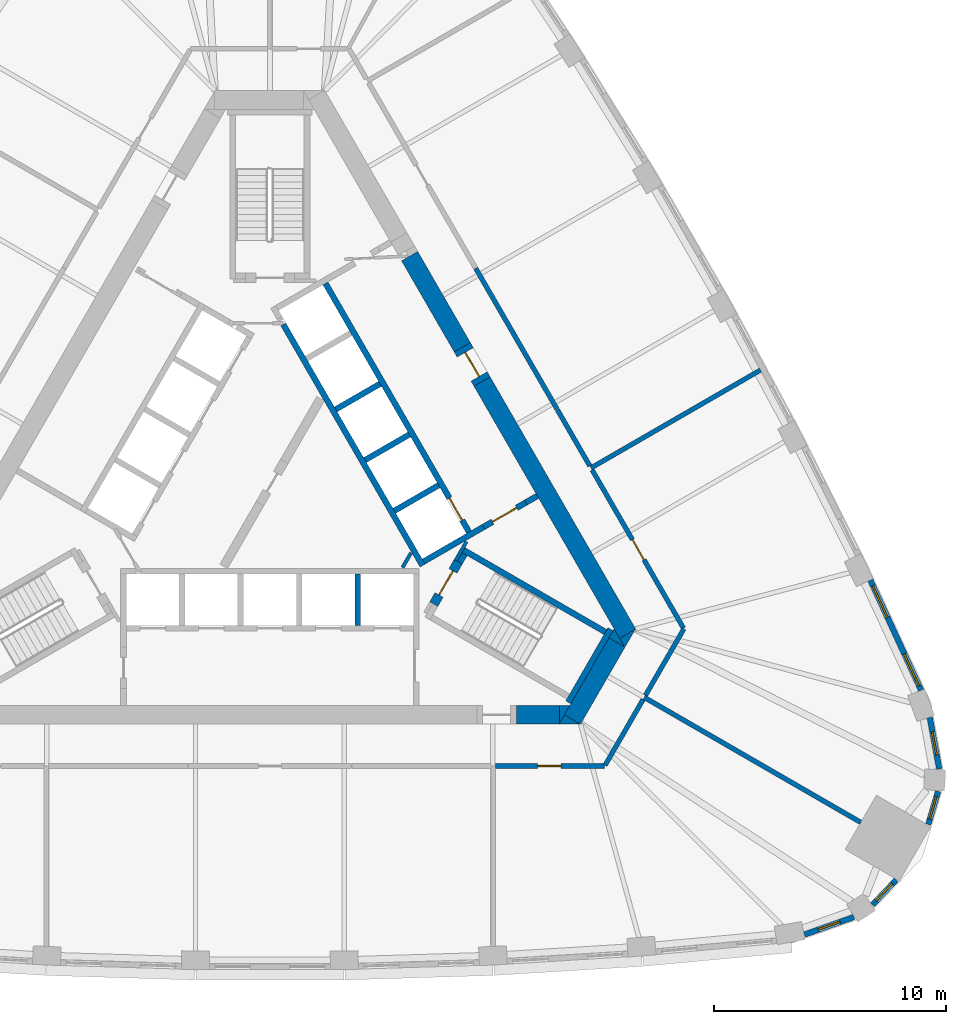
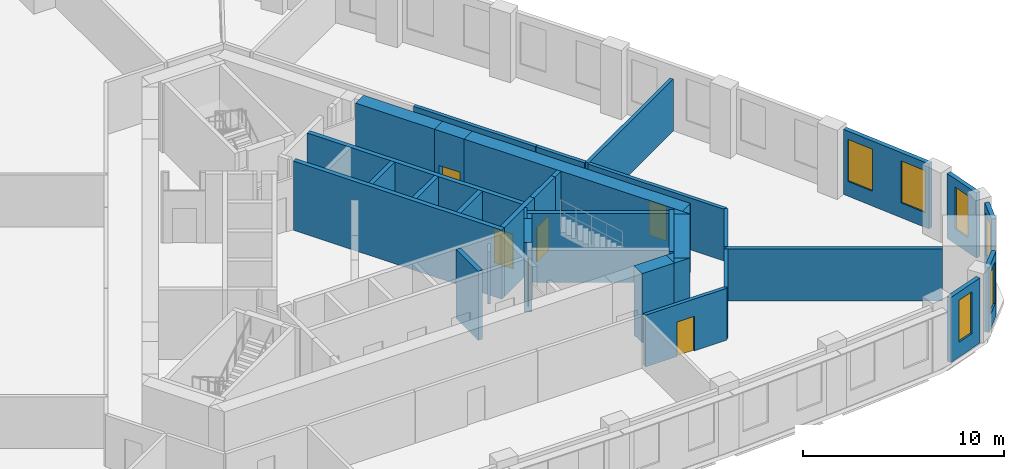
# One storey, part 6 of 9: 37 walls, 6 doors, 6 windows, 12 openings.
"""IFC4 building model written with IfcOpenShell, lengths in metres."""

from ifc_helpers import new_model, si_unit, direction, frame, frame_2d, origin, place, context, subcontext, project, spatial, polyline, rectangle, outline, extrude, material, layer, layer_set, type_object, element, fill, save


model = new_model("IFC4")

# Units and contexts
model_context = context("Model", 3, precision=1e-05, world=origin(), true_north=direction((0.0, 1.0)))
body_context = subcontext(model_context, "Body", "Model", "MODEL_VIEW")
ifc_project = project(units=[si_unit("LENGTHUNIT", "METRE"), si_unit("AREAUNIT", "SQUARE_METRE"), si_unit("VOLUMEUNIT", "CUBIC_METRE"), si_unit("PLANEANGLEUNIT", "RADIAN"), si_unit("MASSUNIT", "GRAM", prefix="KILO")], contexts=[model_context])

# Site, building, storey
site_placement = place(None, origin())
site = spatial("IfcSite", under=ifc_project, at=site_placement, CompositionType="ELEMENT")
building_placement = place(site_placement, origin())
building = spatial("IfcBuilding", under=site, at=building_placement, Name="Mestral Congress Tower", CompositionType="ELEMENT")
storey_placement = place(building_placement, frame((0.0, 0.0, 183.60009765625)))
storey = spatial("IfcBuildingStorey", under=building, at=storey_placement, Name="L43", CompositionType="ELEMENT", Elevation=183.60009765625)

# Walls
ifc_material_1 = material(Name="Fire-rated board partition")
ifc_layer_1 = layer(ifc_material_1, 0.14990234375)
ifc_layer_set_1 = layer_set([ifc_layer_1], Name="Fire-rated board partition")
wall_type_1 = type_object("IfcWallType", Name="Core partition 150", PredefinedType="PARTITIONING", material=ifc_layer_set_1)
wall_1_placement = place(storey_placement, frame((5.704833984375, -3.718017578125, 0.0), z_axis=(0.0, 0.0, 1.0), x_axis=(0.499962090823, 0.866047289552, 0.0)))
element("IfcWall", 1, at=wall_1_placement, inside=storey, type_object=wall_type_1, Name="L43 core wall", PredefinedType="PARTITIONING", context=body_context, shape_type="SweptSolid", body=[
    extrude(rectangle(XDim=0.73486328125, YDim=0.14990234375, at=frame_2d((0.367431640625, 0.0))), origin(), (0.0, 0.0, 1.0), 3.14990234375),
])
ifc_material_2 = material(Name="Concrete C60/75", Category="concrete")
ifc_layer_2 = layer(ifc_material_2, 0.800048828125)
ifc_layer_set_2 = layer_set([ifc_layer_2], Name="Concrete C60/75")
wall_type_2 = type_object("IfcWallType", Name="Core wall RC 800", PredefinedType="SOLIDWALL", material=ifc_layer_set_2)
wall_2_placement = place(storey_placement, frame((9.128662109375, 4.288818359375, 0.0), z_axis=(0.0, 0.0, 1.0), x_axis=(0.499995742806, -0.866027861663, 0.0)))
element("IfcWall", 2, at=wall_2_placement, inside=storey, type_object=wall_type_2, Name="L43 core wall", PredefinedType="SOLIDWALL", context=body_context, shape_type="SweptSolid", body=[
    extrude(rectangle(XDim=12.52734375, YDim=0.800048828125, at=frame_2d((6.263671875, 0.0))), origin(), (0.0, 0.0, 1.0), 4.199951171875),
])
placement = place(storey_placement, origin())
element("IfcWall", 3, at=placement, inside=storey, type_object=wall_type_2, Name="L43 core wall", PredefinedType="SOLIDWALL", context=body_context, shape_type="SweptSolid", body=[
    extrude(outline(polyline([(15.27099609375, -7.14990234375), (15.046875, -6.761962890625), (15.718994140625, -6.3740234375), (15.27099609375, -7.14990234375)])), origin(), (0.0, 0.0, 1.0), 4.199951171875),
])
wall_4_placement = place(storey_placement, frame((13.018310546875, -10.251708984375, 0.0), z_axis=(0.0, 0.0, 1.0), x_axis=(0.499984020225, 0.866034629516, 0.0)))
element("IfcWall", 4, at=wall_4_placement, inside=storey, type_object=wall_type_2, Name="L43 core wall", PredefinedType="SOLIDWALL", context=body_context, shape_type="SweptSolid", body=[
    extrude(rectangle(XDim=3.824462890625, YDim=0.800048828125, at=frame_2d((1.912109375, 0.0))), origin(), (0.0, 0.0, 1.0), 4.199951171875),
])
element("IfcWall", 5, at=placement, inside=storey, type_object=wall_type_2, Name="L43 core wall", PredefinedType="SOLIDWALL", context=body_context, shape_type="SweptSolid", body=[
    extrude(outline(polyline([(12.6708984375, -10.053466796875), (13.35791015625, -10.449951171875), (12.44189453125, -10.449951171875), (12.6708984375, -10.053466796875)])), origin(), (0.0, 0.0, 1.0), 4.199951171875),
])
element("IfcWall", 6, at=placement, inside=storey, type_object=wall_type_2, Name="L43 core wall", PredefinedType="SOLIDWALL", context=body_context, shape_type="SweptSolid", body=[
    extrude(outline(polyline([(14.80908203125, -6.35009765625), (15.257080078125, -7.1259765625), (14.5849609375, -6.738037109375), (14.80908203125, -6.35009765625)])), origin(), (0.0, 0.0, 1.0), 4.199951171875),
])
wall_7_placement = place(storey_placement, frame((10.6044921875, -10.050048828125, 0.0), z_axis=(0.0, 0.0, 1.0), x_axis=(1.0, 0.0, 0.0)))
element("IfcWall", 7, at=wall_7_placement, inside=storey, type_object=wall_type_2, Name="L43 core wall", PredefinedType="SOLIDWALL", context=body_context, shape_type="SweptSolid", body=[
    extrude(rectangle(XDim=1.849365234375, YDim=0.800048828125, at=frame_2d((0.9248046875, 0.0))), origin(), (0.0, 0.0, 1.0), 4.199951171875),
])
element("IfcWall", 8, at=placement, inside=storey, type_object=wall_type_2, Name="L43 core wall", PredefinedType="SOLIDWALL", context=body_context, shape_type="SweptSolid", body=[
    extrude(outline(polyline([(12.90380859375, -9.64990234375), (12.455810546875, -10.42578125), (12.455810546875, -9.64990234375), (12.90380859375, -9.64990234375)])), origin(), (0.0, 0.0, 1.0), 4.199951171875),
])
wall_9_placement = place(storey_placement, frame((8.278564453125, 5.76123046875, 0.0), z_axis=(0.0, 0.0, 1.0), x_axis=(-0.500024261398, 0.866011396007, 0.0)))
element("IfcWall", 9, at=wall_9_placement, inside=storey, type_object=wall_type_2, Name="L43 core wall", PredefinedType="SOLIDWALL", context=body_context, shape_type="SweptSolid", body=[
    extrude(rectangle(XDim=4.528076171875, YDim=0.800048828125, at=frame_2d((2.26416015625, 0.0))), origin(), (0.0, 0.0, 1.0), 4.199951171875),
])

# Wall, opening, door
wall_10_placement = place(storey_placement, frame((8.278564453125, 5.760986328125, 0.0), z_axis=(0.0, 0.0, 1.0), x_axis=(0.500062241894, -0.865989465428, 0.0)))
wall_10 = element("IfcWall", 10, at=wall_10_placement, inside=storey, type_object=wall_type_2, Name="L43 door wall", PredefinedType="SOLIDWALL", context=body_context, shape_type="SweptSolid", body=[
    extrude(rectangle(XDim=1.699951171875, YDim=0.800048828125, at=frame_2d((0.85009765625, 0.0))), origin(), (0.0, 0.0, 1.0), 4.199951171875),
])
opening_1_placement = place(wall_10_placement, frame((0.25, 0.0, 0.0)))
opening_1 = element("IfcOpeningElement", 11, at=opening_1_placement, cuts=wall_10, Name="Opening XDL", PredefinedType="OPENING", context=body_context, shape_type="SweptSolid", body=[
    extrude(rectangle(XDim=1.199951171875, YDim=2.10009765625, at=frame_2d((0.60009765625, 1.050048828125))), frame((0.0, 0.409912109375, 0.0), z_axis=(0.0, -1.0, 0.0), x_axis=(1.0, 0.0, 0.0)), (0.0, 0.0, 1.0), 0.820068359375),
])
ifc_material_3 = material(Name="Fire-rated steel door set", Category="steel")
door_type_1 = type_object("IfcDoorType", Name="Core door XD 1200x2100", OperationType="SINGLE_SWING_LEFT", PredefinedType="DOOR", material=ifc_material_3)
door_1_placement = place(opening_1_placement, origin())
door_1 = element("IfcDoor", 12, at=door_1_placement, inside=storey, type_object=door_type_1, Name="Door XDL", OperationType="SINGLE_SWING_LEFT", OverallHeight=2.10009765625, OverallWidth=1.199951171875, PredefinedType="DOOR", context=body_context, shape_type="SweptSolid", body=[
    extrude(rectangle(XDim=1.199951171875, YDim=2.10009765625, at=frame_2d((0.60009765625, 1.050048828125))), frame((0.0, 0.02490234375, 0.0), z_axis=(0.0, -1.0, 0.0), x_axis=(1.0, 0.0, 0.0)), (0.0, 0.0, 1.0), 0.050048828125),
])
fill(opening_1, door_1)

# Wall, opening, window
ifc_material_4 = material(Name="Precast concrete C40/50 with limestone facing", Category="masonry")
ifc_layer_3 = layer(ifc_material_4, 0.239990234375)
ifc_layer_set_3 = layer_set([ifc_layer_3], Name="Precast concrete C40/50 with limestone facing")
wall_type_3 = type_object("IfcWallType", Name="Facade stone wall 240", PredefinedType="SOLIDWALL", material=ifc_layer_set_3)
wall_11_placement = place(storey_placement, frame((23.0009765625, -19.50537109375, 0.0), z_axis=(0.0, 0.0, 1.0), x_axis=(0.942099727267, 0.335332825539, 0.0)))
wall_11 = element("IfcWall", 13, at=wall_11_placement, inside=storey, type_object=wall_type_3, Name="Facade wall K0-0", PredefinedType="SOLIDWALL", context=body_context, shape_type="SweptSolid", body=[
    extrude(rectangle(XDim=2.25048828125, YDim=0.239990234375, at=frame_2d((1.125244140625, 0.0))), origin(), (0.0, 0.0, 1.0), 3.949951171875),
])
opening_2_placement = place(wall_11_placement, frame((0.625244140625, 0.0, 0.89990234375)))
opening_2 = element("IfcOpeningElement", 14, at=opening_2_placement, cuts=wall_11, Name="Opening W5", PredefinedType="OPENING", context=body_context, shape_type="SweptSolid", body=[
    extrude(rectangle(XDim=1.0, YDim=2.550048828125, at=frame_2d((0.5, 1.27490234375))), frame((0.0, 0.1298828125, 0.0), z_axis=(0.0, -1.0, 0.0), x_axis=(1.0, 0.0, 0.0)), (0.0, 0.0, 1.0), 0.260009765625),
])
ifc_material_5 = material(Name="Clear low-emissivity double glazing", Category="glass")
window_type_1 = type_object("IfcWindowType", Name="Facade punched window 1000 x 2550 sill 900", PartitioningType="SINGLE_PANEL", PredefinedType="WINDOW", material=ifc_material_5)
window_1_placement = place(opening_2_placement, origin())
window_1 = element("IfcWindow", 15, at=window_1_placement, inside=storey, type_object=window_type_1, Name="Window K0-0", OverallHeight=2.550048828125, OverallWidth=1.0, PartitioningType="SINGLE_PANEL", PredefinedType="WINDOW", context=body_context, shape_type="SweptSolid", body=[
    extrude(rectangle(XDim=1.0, YDim=2.550048828125, at=frame_2d((0.5, 1.27490234375))), frame((0.0, 0.0400390625, 0.0), z_axis=(0.0, -1.0, 0.0), x_axis=(1.0, 0.0, 0.0)), (0.0, 0.0, 1.0), 0.06005859375),
])
fill(opening_2, window_1)

wall_12_placement = place(storey_placement, frame((25.9267578125, -18.226318359375, 0.0), z_axis=(0.0, 0.0, 1.0), x_axis=(0.687986858937, 0.725723144133, 0.0)))
wall_12 = element("IfcWall", 16, at=wall_12_placement, inside=storey, type_object=wall_type_3, Name="Facade wall K0-1", PredefinedType="SOLIDWALL", context=body_context, shape_type="SweptSolid", body=[
    extrude(rectangle(XDim=1.4814453125, YDim=0.239990234375, at=frame_2d((0.74072265625, 0.0))), origin(), (0.0, 0.0, 1.0), 3.949951171875),
])
opening_3_placement = place(wall_12_placement, frame((0.24072265625, 0.0, 0.89990234375)))
opening_3 = element("IfcOpeningElement", 17, at=opening_3_placement, cuts=wall_12, Name="Opening W5", PredefinedType="OPENING", context=body_context, shape_type="SweptSolid", body=[
    extrude(rectangle(XDim=1.0, YDim=2.550048828125, at=frame_2d((0.5, 1.27490234375))), frame((0.0, 0.1298828125, 0.0), z_axis=(0.0, -1.0, 0.0), x_axis=(1.0, 0.0, 0.0)), (0.0, 0.0, 1.0), 0.260009765625),
])
window_2_placement = place(opening_3_placement, origin())
window_2 = element("IfcWindow", 18, at=window_2_placement, inside=storey, type_object=window_type_1, Name="Window K0-1", OverallHeight=2.550048828125, OverallWidth=1.0, PartitioningType="SINGLE_PANEL", PredefinedType="WINDOW", context=body_context, shape_type="SweptSolid", body=[
    extrude(rectangle(XDim=1.0, YDim=2.550048828125, at=frame_2d((0.5, 1.27490234375))), frame((0.0, 0.0400390625, 0.0), z_axis=(0.0, -1.0, 0.0), x_axis=(1.0, 0.0, 0.0)), (0.0, 0.0, 1.0), 0.06005859375),
])
fill(opening_3, window_2)

wall_13_placement = place(storey_placement, frame((28.326416015625, -14.760498046875, 0.0), z_axis=(0.0, 0.0, 1.0), x_axis=(0.284413721403, 0.958701640281, 0.0)))
wall_13 = element("IfcWall", 19, at=wall_13_placement, inside=storey, type_object=wall_type_3, Name="Facade wall K0-2", PredefinedType="SOLIDWALL", context=body_context, shape_type="SweptSolid", body=[
    extrude(rectangle(XDim=1.481689453125, YDim=0.239990234375, at=frame_2d((0.74072265625, 0.0))), origin(), (0.0, 0.0, 1.0), 3.949951171875),
])
opening_4_placement = place(wall_13_placement, frame((0.24072265625, 0.0, 0.89990234375)))
opening_4 = element("IfcOpeningElement", 20, at=opening_4_placement, cuts=wall_13, Name="Opening W5", PredefinedType="OPENING", context=body_context, shape_type="SweptSolid", body=[
    extrude(rectangle(XDim=1.0, YDim=2.550048828125, at=frame_2d((0.5, 1.27490234375))), frame((0.0, 0.1298828125, 0.0), z_axis=(0.0, -1.0, 0.0), x_axis=(1.0, 0.0, 0.0)), (0.0, 0.0, 1.0), 0.260009765625),
])
window_3_placement = place(opening_4_placement, origin())
window_3 = element("IfcWindow", 21, at=window_3_placement, inside=storey, type_object=window_type_1, Name="Window K0-2", OverallHeight=2.550048828125, OverallWidth=1.0, PartitioningType="SINGLE_PANEL", PredefinedType="WINDOW", context=body_context, shape_type="SweptSolid", body=[
    extrude(rectangle(XDim=1.0, YDim=2.550048828125, at=frame_2d((0.5, 1.27490234375))), frame((0.0, 0.0400390625, 0.0), z_axis=(0.0, -1.0, 0.0), x_axis=(1.0, 0.0, 0.0)), (0.0, 0.0, 1.0), 0.06005859375),
])
fill(opening_4, window_3)

wall_14_placement = place(storey_placement, frame((28.79931640625, -12.380126953125, 0.0), z_axis=(0.0, 0.0, 1.0), x_axis=(-0.180737189259, 0.983531427265, 0.0)))
wall_14 = element("IfcWall", 22, at=wall_14_placement, inside=storey, type_object=wall_type_3, Name="Facade wall K0-3", PredefinedType="SOLIDWALL", context=body_context, shape_type="SweptSolid", body=[
    extrude(rectangle(XDim=2.25048828125, YDim=0.239990234375, at=frame_2d((1.125244140625, 0.0))), origin(), (0.0, 0.0, 1.0), 3.949951171875),
])
opening_5_placement = place(wall_14_placement, frame((0.625244140625, 0.0, 0.89990234375)))
opening_5 = element("IfcOpeningElement", 23, at=opening_5_placement, cuts=wall_14, Name="Opening W5", PredefinedType="OPENING", context=body_context, shape_type="SweptSolid", body=[
    extrude(rectangle(XDim=1.0, YDim=2.550048828125, at=frame_2d((0.5, 1.27490234375))), frame((0.0, 0.1298828125, 0.0), z_axis=(0.0, -1.0, 0.0), x_axis=(1.0, 0.0, 0.0)), (0.0, 0.0, 1.0), 0.260009765625),
])
window_4_placement = place(opening_5_placement, origin())
window_4 = element("IfcWindow", 24, at=window_4_placement, inside=storey, type_object=window_type_1, Name="Window K0-3", OverallHeight=2.550048828125, OverallWidth=1.0, PartitioningType="SINGLE_PANEL", PredefinedType="WINDOW", context=body_context, shape_type="SweptSolid", body=[
    extrude(rectangle(XDim=1.0, YDim=2.550048828125, at=frame_2d((0.5, 1.27490234375))), frame((0.0, 0.0400390625, 0.0), z_axis=(0.0, -1.0, 0.0), x_axis=(1.0, 0.0, 0.0)), (0.0, 0.0, 1.0), 0.06005859375),
])
fill(opening_5, window_4)

# Wall, openings, windows
wall_15_placement = place(storey_placement, frame((28.019775390625, -8.991943359375, 0.0), z_axis=(0.0, 0.0, 1.0), x_axis=(-0.418722559465, 0.908114209885, 0.0)))
wall_15 = element("IfcWall", 25, at=wall_15_placement, inside=storey, type_object=wall_type_3, Name="Facade wall F1-00", PredefinedType="SOLIDWALL", context=body_context, shape_type="SweptSolid", body=[
    extrude(rectangle(XDim=5.213134765625, YDim=0.239990234375, at=frame_2d((2.6064453125, 0.0))), origin(), (0.0, 0.0, 1.0), 3.949951171875),
])
opening_6_placement = place(wall_15_placement, frame((0.220947265625, 0.0, 0.89990234375)))
opening_6 = element("IfcOpeningElement", 26, at=opening_6_placement, cuts=wall_15, Name="Opening W4", PredefinedType="OPENING", context=body_context, shape_type="SweptSolid", body=[
    extrude(rectangle(XDim=1.5, YDim=2.550048828125, at=frame_2d((0.75, 1.27490234375))), frame((0.0, 0.1298828125, 0.0), z_axis=(0.0, -1.0, 0.0), x_axis=(1.0, 0.0, 0.0)), (0.0, 0.0, 1.0), 0.260009765625),
])
opening_7_placement = place(wall_15_placement, frame((3.452392578125, 0.0, 0.89990234375)))
opening_7 = element("IfcOpeningElement", 27, at=opening_7_placement, cuts=wall_15, Name="Opening W4", PredefinedType="OPENING", context=body_context, shape_type="SweptSolid", body=[
    extrude(rectangle(XDim=1.5, YDim=2.550048828125, at=frame_2d((0.75, 1.27490234375))), frame((0.0, 0.1298828125, 0.0), z_axis=(0.0, -1.0, 0.0), x_axis=(1.0, 0.0, 0.0)), (0.0, 0.0, 1.0), 0.260009765625),
])
window_type_2 = type_object("IfcWindowType", Name="Facade punched window 1500 x 2550 sill 900", PartitioningType="SINGLE_PANEL", PredefinedType="WINDOW", material=ifc_material_5)
window_5_placement = place(opening_6_placement, origin())
window_5 = element("IfcWindow", 28, at=window_5_placement, inside=storey, type_object=window_type_2, Name="Window F1-00a", OverallHeight=2.550048828125, OverallWidth=1.5, PartitioningType="SINGLE_PANEL", PredefinedType="WINDOW", context=body_context, shape_type="SweptSolid", body=[
    extrude(rectangle(XDim=1.5, YDim=2.550048828125, at=frame_2d((0.75, 1.27490234375))), frame((0.0, 0.0400390625, 0.0), z_axis=(0.0, -1.0, 0.0), x_axis=(1.0, 0.0, 0.0)), (0.0, 0.0, 1.0), 0.06005859375),
])
fill(opening_6, window_5)
window_6_placement = place(opening_7_placement, origin())
window_6 = element("IfcWindow", 29, at=window_6_placement, inside=storey, type_object=window_type_2, Name="Window F1-00b", OverallHeight=2.550048828125, OverallWidth=1.5, PartitioningType="SINGLE_PANEL", PredefinedType="WINDOW", context=body_context, shape_type="SweptSolid", body=[
    extrude(rectangle(XDim=1.5, YDim=2.550048828125, at=frame_2d((0.75, 1.27490234375))), frame((0.0, 0.0400390625, 0.0), z_axis=(0.0, -1.0, 0.0), x_axis=(1.0, 0.0, 0.0)), (0.0, 0.0, 1.0), 0.06005859375),
])
fill(opening_7, window_6)

# Wall
ifc_material_6 = material(Name="Dense masonry wall, plastered", Category="masonry")
ifc_layer_4 = layer(ifc_material_6, 0.199951171875)
ifc_layer_set_4 = layer_set([ifc_layer_4], Name="Dense masonry wall, plastered")
wall_type_4 = type_object("IfcWallType", Name="Office tenancy wall 200", PredefinedType="PARTITIONING", material=ifc_layer_set_4)
wall_16_placement = place(storey_placement, frame((16.108154296875, -9.300048828125, 0.0), z_axis=(0.0, 0.0, 1.0), x_axis=(0.866027180319, -0.499996922939, 0.0)))
element("IfcWall", 30, at=wall_16_placement, inside=storey, type_object=wall_type_4, Name="Tenancy wall", PredefinedType="PARTITIONING", context=body_context, shape_type="SweptSolid", body=[
    extrude(rectangle(XDim=10.75390625, YDim=0.199951171875, at=frame_2d((5.376953125, 0.0))), origin(), (0.0, 0.0, 1.0), 3.14990234375),
])

# Wall, opening, door
wall_17_placement = place(storey_placement, frame((9.71728515625, -12.25, 0.0), z_axis=(0.0, 0.0, 1.0), x_axis=(1.0, 0.0, 0.0)))
wall_17 = element("IfcWall", 31, at=wall_17_placement, inside=storey, type_object=wall_type_4, Name="Tenancy wall", PredefinedType="PARTITIONING", context=body_context, shape_type="SweptSolid", body=[
    extrude(rectangle(XDim=4.6875, YDim=0.199951171875, at=frame_2d((2.34375, 0.0))), origin(), (0.0, 0.0, 1.0), 3.14990234375),
])
opening_8_placement = place(wall_17_placement, frame((1.800048828125, 0.0, 0.0)))
opening_8 = element("IfcOpeningElement", 32, at=opening_8_placement, cuts=wall_17, Name="Opening O04-002", PredefinedType="OPENING", context=body_context, shape_type="SweptSolid", body=[
    extrude(rectangle(XDim=1.0, YDim=2.10009765625, at=frame_2d((0.5, 1.050048828125))), frame((0.0, 0.10986328125, 0.0), z_axis=(0.0, -1.0, 0.0), x_axis=(1.0, 0.0, 0.0)), (0.0, 0.0, 1.0), 0.219970703125),
])
ifc_material_7 = material(Name="Fire-rated timber door set", Category="wood")
door_type_2 = type_object("IfcDoorType", Name="Office tenancy entrance door 1000x2100", OperationType="SINGLE_SWING_LEFT", PredefinedType="DOOR", material=ifc_material_7)
door_2_placement = place(opening_8_placement, origin())
door_2 = element("IfcDoor", 33, at=door_2_placement, inside=storey, type_object=door_type_2, Name="Door O04-002", OperationType="SINGLE_SWING_LEFT", OverallHeight=2.10009765625, OverallWidth=1.0, PredefinedType="DOOR", context=body_context, shape_type="SweptSolid", body=[
    extrude(rectangle(XDim=1.0, YDim=2.10009765625, at=frame_2d((0.5, 1.050048828125))), frame((0.0, 0.02490234375, 0.0), z_axis=(0.0, -1.0, 0.0), x_axis=(1.0, 0.0, 0.0)), (0.0, 0.0, 1.0), 0.050048828125),
])
fill(opening_8, door_2)

# Walls
wall_18_placement = place(storey_placement, frame((14.419921875, -12.22412109375, 0.0), z_axis=(0.0, 0.0, 1.0), x_axis=(0.500001965626, 0.866024268927, 0.0)))
element("IfcWall", 34, at=wall_18_placement, inside=storey, type_object=wall_type_4, Name="Tenancy wall", PredefinedType="PARTITIONING", context=body_context, shape_type="SweptSolid", body=[
    extrude(rectangle(XDim=3.2763671875, YDim=0.199951171875, at=frame_2d((1.63818359375, 0.0))), origin(), (0.0, 0.0, 1.0), 3.14990234375),
])
wall_19_placement = place(storey_placement, frame((13.814697265625, 0.572021484375, 0.0), z_axis=(0.0, 0.0, 1.0), x_axis=(0.866036391575, 0.499980968105, 0.0)))
element("IfcWall", 35, at=wall_19_placement, inside=storey, type_object=wall_type_4, Name="Tenancy wall", PredefinedType="PARTITIONING", context=body_context, shape_type="SweptSolid", body=[
    extrude(rectangle(XDim=8.420166015625, YDim=0.199951171875, at=frame_2d((4.2099609375, 0.0))), origin(), (0.0, 0.0, 1.0), 3.14990234375),
])
wall_20_placement = place(storey_placement, frame((16.158203125, -9.21337890625, 0.0), z_axis=(0.0, 0.0, 1.0), x_axis=(0.499990919662, 0.866030646256, 0.0)))
element("IfcWall", 36, at=wall_20_placement, inside=storey, type_object=wall_type_4, Name="Tenancy wall", PredefinedType="PARTITIONING", context=body_context, shape_type="SweptSolid", body=[
    extrude(rectangle(XDim=3.30615234375, YDim=0.199951171875, at=frame_2d((1.653076171875, 0.0))), origin(), (0.0, 0.0, 1.0), 3.14990234375),
])

# Wall, opening, door
wall_21_placement = place(storey_placement, frame((17.79638671875, -6.323974609375, 0.0), z_axis=(0.0, 0.0, 1.0), x_axis=(-0.500026166427, 0.866010296064, 0.0)))
wall_21 = element("IfcWall", 37, at=wall_21_placement, inside=storey, type_object=wall_type_4, Name="Tenancy wall", PredefinedType="PARTITIONING", context=body_context, shape_type="SweptSolid", body=[
    extrude(rectangle(XDim=7.86279296875, YDim=0.199951171875, at=frame_2d((3.931396484375, 0.0))), origin(), (0.0, 0.0, 1.0), 3.14990234375),
])
opening_9_placement = place(wall_21_placement, frame((3.39990234375, 0.0, 0.0)))
opening_9 = element("IfcOpeningElement", 38, at=opening_9_placement, cuts=wall_21, Name="Opening O04-003", PredefinedType="OPENING", context=body_context, shape_type="SweptSolid", body=[
    extrude(rectangle(XDim=1.0, YDim=2.10009765625, at=frame_2d((0.5, 1.050048828125))), frame((0.0, 0.10986328125, 0.0), z_axis=(0.0, -1.0, 0.0), x_axis=(1.0, 0.0, 0.0)), (0.0, 0.0, 1.0), 0.219970703125),
])
door_3_placement = place(opening_9_placement, origin())
door_3 = element("IfcDoor", 39, at=door_3_placement, inside=storey, type_object=door_type_2, Name="Door O04-003", OperationType="SINGLE_SWING_LEFT", OverallHeight=2.10009765625, OverallWidth=1.0, PredefinedType="DOOR", context=body_context, shape_type="SweptSolid", body=[
    extrude(rectangle(XDim=1.0, YDim=2.10009765625, at=frame_2d((0.5, 1.050048828125))), frame((0.0, 0.02490234375, 0.0), z_axis=(0.0, -1.0, 0.0), x_axis=(1.0, 0.0, 0.0)), (0.0, 0.0, 1.0), 0.050048828125),
])
fill(opening_9, door_3)

# Walls
wall_22_placement = place(storey_placement, frame((12.35888671875, 3.093994140625, 0.0), z_axis=(0.0, 0.0, 1.0), x_axis=(-0.500010275428, 0.866019471182, 0.0)))
element("IfcWall", 40, at=wall_22_placement, inside=storey, type_object=wall_type_4, Name="Tenancy wall", PredefinedType="PARTITIONING", context=body_context, shape_type="SweptSolid", body=[
    extrude(rectangle(XDim=6.999755859375, YDim=0.199951171875, at=frame_2d((3.5, 0.0))), origin(), (0.0, 0.0, 1.0), 3.14990234375),
])
wall_23_placement = place(storey_placement, frame((13.764892578125, 0.65869140625, 0.0), z_axis=(0.0, 0.0, 1.0), x_axis=(-0.500046568876, 0.865998515562, 0.0)))
element("IfcWall", 41, at=wall_23_placement, inside=storey, type_object=wall_type_4, Name="Tenancy wall", PredefinedType="PARTITIONING", context=body_context, shape_type="SweptSolid", body=[
    extrude(rectangle(XDim=2.781982421875, YDim=0.199951171875, at=frame_2d((1.39111328125, 0.0))), origin(), (0.0, 0.0, 1.0), 3.14990234375),
])
ifc_layer_5 = layer(ifc_material_2, 0.25)
ifc_layer_set_5 = layer_set([ifc_layer_5], Name="Concrete C60/75")
wall_type_5 = type_object("IfcWallType", Name="Shaft wall RC 250", PredefinedType="SOLIDWALL", material=ifc_layer_set_5)
wall_24_placement = place(storey_placement, frame((3.780029296875, -4.0, 0.0), z_axis=(0.0, 0.0, 1.0), x_axis=(0.0, -1.0, 0.0)))
element("IfcWall", 42, at=wall_24_placement, inside=storey, type_object=wall_type_5, Name="L43 core wall", PredefinedType="SOLIDWALL", context=body_context, shape_type="SweptSolid", body=[
    extrude(rectangle(XDim=2.199951171875, YDim=0.25, at=frame_2d((1.10009765625, 0.0))), origin(), (0.0, 0.0, 1.0), 4.199951171875),
])
wall_25_placement = place(storey_placement, frame((11.507080078125, -0.631103515625, 0.0), z_axis=(0.0, 0.0, 1.0), x_axis=(-0.866093731455, -0.499881634324, 0.0)))
element("IfcWall", 43, at=wall_25_placement, inside=storey, type_object=wall_type_5, Name="L43 core wall", PredefinedType="SOLIDWALL", context=body_context, shape_type="SweptSolid", body=[
    extrude(rectangle(XDim=0.575439453125, YDim=0.25, at=frame_2d((0.28759765625, 0.0))), origin(), (0.0, 0.0, 1.0), 4.199951171875),
])
wall_26_placement = place(storey_placement, frame((6.568359375, -3.626708984375, 0.0), z_axis=(0.0, 0.0, 1.0), x_axis=(-0.499999455981, 0.866025717874, 0.0)))
element("IfcWall", 44, at=wall_26_placement, inside=storey, type_object=wall_type_5, Name="L43 core wall", PredefinedType="SOLIDWALL", context=body_context, shape_type="SweptSolid", body=[
    extrude(rectangle(XDim=11.97802734375, YDim=0.25, at=frame_2d((5.989013671875, 0.0))), origin(), (0.0, 0.0, 1.0), 4.199951171875),
])
for number, where, z_axis, x_axis, name in (
    (45, (2.833984375, 3.091064453125, 0.0), (0.0, 0.0, 1.0), (0.866008176907, 0.50002983664, 0.0), "L43 core wall"),
    (46, (4.093994140625, 0.90869140625, 0.0), (0.0, 0.0, 1.0), (0.866008176907, 0.50002983664, 0.0), "L43 core wall"),
    (47, (5.35400390625, -1.273681640625, 0.0), (0.0, 0.0, 1.0), (0.866008176907, 0.50002983664, 0.0), "L43 core wall"),
):
    element("IfcWall", number, at=place(storey_placement, frame(where, z_axis=z_axis, x_axis=x_axis)), inside=storey, type_object=wall_type_5, Name=name, PredefinedType="SOLIDWALL", context=body_context, shape_type="SweptSolid", body=[
        extrude(rectangle(XDim=2.199951171875, YDim=0.25, at=frame_2d((1.10009765625, 0.0))), origin(), (0.0, 0.0, 1.0), 4.199951171875),
    ])
wall_27_placement = place(storey_placement, frame((6.614013671875, -3.4560546875, 0.0), z_axis=(0.0, 0.0, 1.0), x_axis=(0.866032512851, 0.499987686533, 0.0)))
element("IfcWall", 48, at=wall_27_placement, inside=storey, type_object=wall_type_5, Name="L43 core wall", PredefinedType="SOLIDWALL", context=body_context, shape_type="SweptSolid", body=[
    extrude(rectangle(XDim=2.974609375, YDim=0.25, at=frame_2d((1.4873046875, 0.0))), origin(), (0.0, 0.0, 1.0), 4.199951171875),
])

# Wall, opening, door
wall_28_placement = place(storey_placement, frame((8.565185546875, -2.185302734375, 0.0), z_axis=(0.0, 0.0, 1.0), x_axis=(-0.499997954832, 0.866026584559, 0.0)))
wall_28 = element("IfcWall", 49, at=wall_28_placement, inside=storey, type_object=wall_type_5, Name="L43 door wall", PredefinedType="SOLIDWALL", context=body_context, shape_type="SweptSolid", body=[
    extrude(rectangle(XDim=12.35009765625, YDim=0.25, at=frame_2d((6.175048828125, 0.0))), origin(), (0.0, 0.0, 1.0), 4.199951171875),
])
opening_10_placement = place(wall_28_placement, frame((0.5849609375, 0.0, 0.0)))
opening_10 = element("IfcOpeningElement", 50, at=opening_10_placement, cuts=wall_28, Name="Opening LD-NEB1", PredefinedType="OPENING", context=body_context, shape_type="SweptSolid", body=[
    extrude(rectangle(XDim=1.10009765625, YDim=2.10009765625, at=frame_2d((0.550048828125, 1.050048828125))), frame((0.0, 0.135009765625, 0.0), z_axis=(0.0, -1.0, 0.0), x_axis=(1.0, 0.0, 0.0)), (0.0, 0.0, 1.0), 0.27001953125),
])
door_type_3 = type_object("IfcDoorType", Name="Core door LD 1100x2100", OperationType="DOUBLE_DOOR_SLIDING", PredefinedType="DOOR", material=ifc_material_3)
door_4_placement = place(opening_10_placement, origin())
door_4 = element("IfcDoor", 51, at=door_4_placement, inside=storey, type_object=door_type_3, Name="Door LD-NEB1", OperationType="DOUBLE_DOOR_SLIDING", OverallHeight=2.10009765625, OverallWidth=1.10009765625, PredefinedType="DOOR", context=body_context, shape_type="SweptSolid", body=[
    extrude(rectangle(XDim=1.10009765625, YDim=2.10009765625, at=frame_2d((0.550048828125, 1.050048828125))), frame((0.0, 0.02490234375, 0.0), z_axis=(0.0, -1.0, 0.0), x_axis=(1.0, 0.0, 0.0)), (0.0, 0.0, 1.0), 0.050048828125),
])
fill(opening_10, door_4)

wall_29_placement = place(storey_placement, frame((11.0087890625, -0.918701171875, 0.0), z_axis=(0.0, 0.0, 1.0), x_axis=(-0.866059744384, -0.49994051562, 0.0)))
wall_29 = element("IfcWall", 52, at=wall_29_placement, inside=storey, type_object=wall_type_5, Name="L43 door wall", PredefinedType="SOLIDWALL", context=body_context, shape_type="SweptSolid", body=[
    extrude(rectangle(XDim=2.099853515625, YDim=0.25, at=frame_2d((1.0498046875, 0.0))), origin(), (0.0, 0.0, 1.0), 4.199951171875),
])
opening_11_placement = place(wall_29_placement, frame((0.449951171875, 0.0, 0.0)))
opening_11 = element("IfcOpeningElement", 53, at=opening_11_placement, cuts=wall_29, Name="Opening LB1-PX10", PredefinedType="OPENING", context=body_context, shape_type="SweptSolid", body=[
    extrude(rectangle(XDim=1.199951171875, YDim=2.10009765625, at=frame_2d((0.60009765625, 1.050048828125))), frame((0.0, 0.135009765625, 0.0), z_axis=(0.0, -1.0, 0.0), x_axis=(1.0, 0.0, 0.0)), (0.0, 0.0, 1.0), 0.27001953125),
])
door_type_4 = type_object("IfcDoorType", Name="Core door LB 1200x2100", OperationType="SINGLE_SWING_LEFT", PredefinedType="DOOR", material=ifc_material_3)
door_5_placement = place(opening_11_placement, origin())
door_5 = element("IfcDoor", 54, at=door_5_placement, inside=storey, type_object=door_type_4, Name="Door LB1-PX10", OperationType="SINGLE_SWING_LEFT", OverallHeight=2.10009765625, OverallWidth=1.199951171875, PredefinedType="DOOR", context=body_context, shape_type="SweptSolid", body=[
    extrude(rectangle(XDim=1.199951171875, YDim=2.10009765625, at=frame_2d((0.60009765625, 1.050048828125))), frame((0.0, 0.02490234375, 0.0), z_axis=(0.0, -1.0, 0.0), x_axis=(1.0, 0.0, 0.0)), (0.0, 0.0, 1.0), 0.050048828125),
])
fill(opening_11, door_5)

# Walls
ifc_layer_6 = layer(ifc_material_2, 0.14990234375)
ifc_layer_set_6 = layer_set([ifc_layer_6], Name="Concrete C60/75")
wall_type_6 = type_object("IfcWallType", Name="Shaft wall RC 250 door-wall 150", PredefinedType="SOLIDWALL", material=ifc_layer_set_6)
wall_30_placement = place(storey_placement, frame((8.459228515625, -2.59912109375, 0.0), z_axis=(0.0, 0.0, 1.0), x_axis=(-0.500041054325, -0.866001699761, 0.0)))
element("IfcWall", 55, at=wall_30_placement, inside=storey, type_object=wall_type_6, Name="L43 core wall", PredefinedType="PARTITIONING", context=body_context, shape_type="SweptSolid", body=[
    extrude(rectangle(XDim=0.9287109375, YDim=0.14990234375, at=frame_2d((0.46435546875, 0.0))), origin(), (0.0, 0.0, 1.0), 4.199951171875),
])
ifc_layer_7 = layer(ifc_material_2, 0.25)
ifc_layer_set_7 = layer_set([ifc_layer_7], Name="Concrete C60/75")
wall_type_7 = type_object("IfcWallType", Name="Stair wall RC 250", PredefinedType="SOLIDWALL", material=ifc_layer_set_7)
wall_31_placement = place(storey_placement, frame((12.839599609375, -9.510986328125, 0.0), z_axis=(0.0, 0.0, 1.0), x_axis=(0.499997733992, 0.866026712061, 0.0)))
element("IfcWall", 56, at=wall_31_placement, inside=storey, type_object=wall_type_7, Name="L43 core wall", PredefinedType="SOLIDWALL", context=body_context, shape_type="SweptSolid", body=[
    extrude(rectangle(XDim=3.6337890625, YDim=0.25, at=frame_2d((1.81689453125, 0.0))), origin(), (0.0, 0.0, 1.0), 4.199951171875),
])
wall_32_placement = place(storey_placement, frame((8.33447265625, -2.96435546875, 0.0), z_axis=(0.0, 0.0, 1.0), x_axis=(0.866016039709, -0.500016218704, 0.0)))
element("IfcWall", 57, at=wall_32_placement, inside=storey, type_object=wall_type_7, Name="L43 core wall", PredefinedType="SOLIDWALL", context=body_context, shape_type="SweptSolid", body=[
    extrude(rectangle(XDim=7.050048828125, YDim=0.25, at=frame_2d((3.52490234375, 0.0))), origin(), (0.0, 0.0, 1.0), 4.199951171875),
])
wall_33_placement = place(storey_placement, frame((8.167724609375, -3.503173828125, 0.0), z_axis=(0.0, 0.0, 1.0), x_axis=(0.49972245349, 0.866185586049, 0.0)))
element("IfcWall", 58, at=wall_33_placement, inside=storey, type_object=wall_type_7, Name="L43 core wall", PredefinedType="SOLIDWALL", context=body_context, shape_type="SweptSolid", body=[
    extrude(rectangle(XDim=0.425048828125, YDim=0.25, at=frame_2d((0.21240234375, 0.0))), origin(), (0.0, 0.0, 1.0), 4.199951171875),
])

# Wall, opening, door
ifc_layer_8 = layer(ifc_material_2, 0.39990234375)
ifc_layer_set_8 = layer_set([ifc_layer_8], Name="Concrete C60/75")
wall_type_8 = type_object("IfcWallType", Name="Stair wall RC 250 door-wall 400", PredefinedType="SOLIDWALL", material=ifc_layer_set_8)
wall_34_placement = place(storey_placement, frame((7.052734375, -5.2841796875, 0.0), z_axis=(0.0, 0.0, 1.0), x_axis=(0.500078061341, 0.865980330357, 0.0)))
wall_34 = element("IfcWall", 59, at=wall_34_placement, inside=storey, type_object=wall_type_8, Name="L43 door wall", PredefinedType="SOLIDWALL", context=body_context, shape_type="SweptSolid", body=[
    extrude(rectangle(XDim=2.099853515625, YDim=0.39990234375, at=frame_2d((1.0498046875, 0.0))), origin(), (0.0, 0.0, 1.0), 4.199951171875),
])
opening_12_placement = place(wall_34_placement, frame((0.449951171875, 0.0, 0.0)))
opening_12 = element("IfcOpeningElement", 60, at=opening_12_placement, cuts=wall_34, Name="Opening ST-D1", PredefinedType="OPENING", context=body_context, shape_type="SweptSolid", body=[
    extrude(rectangle(XDim=1.199951171875, YDim=2.10009765625, at=frame_2d((0.60009765625, 1.050048828125))), frame((0.0, 0.2099609375, 0.0), z_axis=(0.0, -1.0, 0.0), x_axis=(1.0, 0.0, 0.0)), (0.0, 0.0, 1.0), 0.419921875),
])
door_type_5 = type_object("IfcDoorType", Name="Core door ST 1200x2100", OperationType="SINGLE_SWING_LEFT", PredefinedType="DOOR", material=ifc_material_3)
door_6_placement = place(opening_12_placement, origin())
door_6 = element("IfcDoor", 61, at=door_6_placement, inside=storey, type_object=door_type_5, Name="Door ST-D1", OperationType="SINGLE_SWING_LEFT", OverallHeight=2.10009765625, OverallWidth=1.199951171875, PredefinedType="DOOR", context=body_context, shape_type="SweptSolid", body=[
    extrude(rectangle(XDim=1.199951171875, YDim=2.10009765625, at=frame_2d((0.60009765625, 1.050048828125))), frame((0.0, 0.02490234375, 0.0), z_axis=(0.0, -1.0, 0.0), x_axis=(1.0, 0.0, 0.0)), (0.0, 0.0, 1.0), 0.050048828125),
])
fill(opening_12, door_6)

save(model, "model.ifc")
